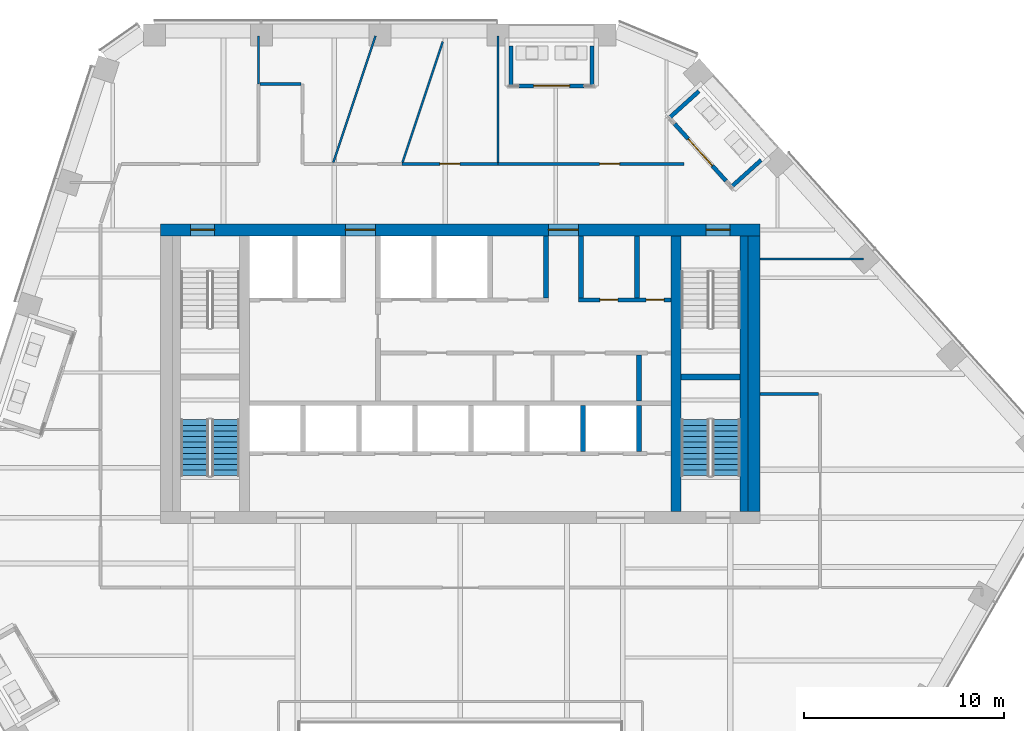
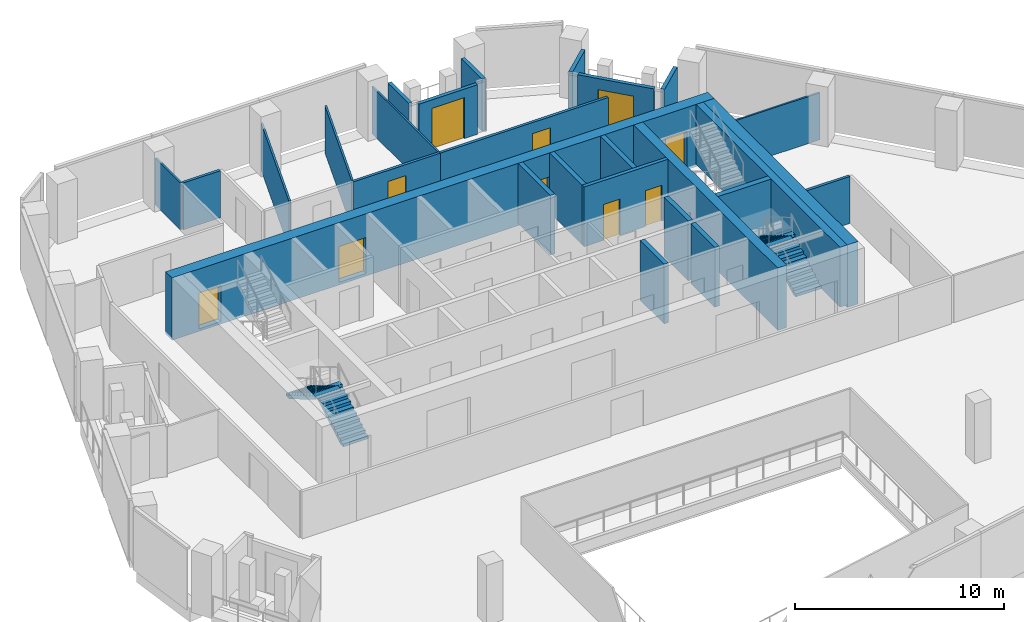
# One storey, part 17 of 24: 27 walls, 10 doors, 4 stair flights, 10 openings, 2 elements without a shape of their own.
"""IFC4 building model written with IfcOpenShell, lengths in metres."""

from ifc_helpers import new_model, si_unit, direction, frame, frame_2d, origin, place, context, subcontext, project, spatial, polyline, rectangle, outline, extrude, material, layer, layer_set, type_object, element, fill, aggregate, save


model = new_model("IFC4")

# Units and contexts
model_context = context("Model", 3, precision=1e-05, world=origin(), true_north=direction((0.0, 1.0)))
body_context = subcontext(model_context, "Body", "Model", "MODEL_VIEW")
ifc_project = project(units=[si_unit("LENGTHUNIT", "METRE"), si_unit("AREAUNIT", "SQUARE_METRE"), si_unit("VOLUMEUNIT", "CUBIC_METRE"), si_unit("PLANEANGLEUNIT", "RADIAN"), si_unit("MASSUNIT", "GRAM", prefix="KILO")], contexts=[model_context])

# Site, building, storey
site_placement = place(None, origin())
site = spatial("IfcSite", under=ifc_project, at=site_placement, CompositionType="ELEMENT")
building_placement = place(site_placement, origin())
building = spatial("IfcBuilding", under=site, at=building_placement, Name="Isthmus Gate Tower", CompositionType="ELEMENT")
storey_placement = place(building_placement, frame((0.0, 0.0, 219.949951171875)))
storey = spatial("IfcBuildingStorey", under=building, at=storey_placement, Name="L55", CompositionType="ELEMENT", Elevation=219.949951171875)

# Wall, opening, door
ifc_material_1 = material(Name="Gypsum board on steel studs, fire-rated", Category="steel")
ifc_layer_1 = layer(ifc_material_1, 0.14990234375)
ifc_layer_set_1 = layer_set([ifc_layer_1], Name="CORRIDOR WALL 150 60 MIN")
wall_type_1 = type_object("IfcWallType", Name="CORRIDOR WALL 150 60 MIN", PredefinedType="PARTITIONING", material=ifc_layer_set_1)
wall_1_placement = place(storey_placement, frame((1.881103515625, 18.0, 0.0), z_axis=(0.0, 0.0, 1.0), x_axis=(1.0, 0.0, 0.0)))
wall_1 = element("IfcWall", 1, at=wall_1_placement, inside=storey, type_object=wall_type_1, Name="L55 Corridor Wall 150 60 Min", PredefinedType="PARTITIONING", context=body_context, shape_type="SweptSolid", body=[
    extrude(rectangle(XDim=9.30908203125, YDim=0.14990234375, at=frame_2d((4.654541015625, 0.0))), origin(), (0.0, 0.0, 1.0), 2.750732421875),
])
opening_1_placement = place(wall_1_placement, frame((5.092041015625, 0.0, 0.0)))
opening_1 = element("IfcOpeningElement", 2, at=opening_1_placement, cuts=wall_1, Name="Opening DT-T5A-02", PredefinedType="OPENING", context=body_context, shape_type="SweptSolid", body=[
    extrude(rectangle(XDim=1.0, YDim=2.10009765625, at=frame_2d((0.5, 1.050048828125))), frame((0.0, 0.0849609375, 0.0), z_axis=(0.0, -1.0, 0.0), x_axis=(1.0, 0.0, 0.0)), (0.0, 0.0, 1.0), 0.169921875),
])
ifc_material_2 = material(Name="Solid core timber door leaf, fire-rated", Category="wood")
door_type_1 = type_object("IfcDoorType", Name="FIRE DOOR ROOM 1000 X 2100 60 MIN", OperationType="SINGLE_SWING_LEFT", PredefinedType="DOOR", material=ifc_material_2)
door_1_placement = place(opening_1_placement, origin())
door_1 = element("IfcDoor", 3, at=door_1_placement, inside=storey, type_object=door_type_1, Name="L55 room door", OperationType="SINGLE_SWING_RIGHT", OverallHeight=2.10009765625, OverallWidth=1.0, PredefinedType="DOOR", context=body_context, shape_type="SweptSolid", body=[
    extrude(rectangle(XDim=1.0, YDim=2.10009765625, at=frame_2d((0.5, 1.050048828125))), frame((0.0, 0.02490234375, 0.0), z_axis=(0.0, -1.0, 0.0), x_axis=(1.0, 0.0, 0.0)), (0.0, 0.0, 1.0), 0.050048828125),
])
fill(opening_1, door_1)

# Wall
wall_2_placement = place(storey_placement, frame((15.0, 6.5, 0.0), z_axis=(0.0, 0.0, 1.0), x_axis=(1.0, 0.0, 0.0)))
element("IfcWall", 4, at=wall_2_placement, inside=storey, type_object=wall_type_1, Name="L55 Corridor Wall 150 60 Min", PredefinedType="PARTITIONING", context=body_context, shape_type="SweptSolid", body=[
    extrude(rectangle(XDim=2.925048828125, YDim=0.14990234375, at=frame_2d((1.46240234375, 0.0))), origin(), (0.0, 0.0, 1.0), 2.750732421875),
])

# Wall, opening, door
wall_3_placement = place(storey_placement, frame((-2.919921875, 18.0, 0.0), z_axis=(0.0, 0.0, 1.0), x_axis=(1.0, 0.0, 0.0)))
wall_3 = element("IfcWall", 5, at=wall_3_placement, inside=storey, type_object=wall_type_1, Name="L55 Corridor Wall 150 60 Min", PredefinedType="PARTITIONING", context=body_context, shape_type="SweptSolid", body=[
    extrude(rectangle(XDim=4.801025390625, YDim=0.14990234375, at=frame_2d((2.400390625, 0.0))), origin(), (0.0, 0.0, 1.0), 2.750732421875),
])
opening_2_placement = place(wall_3_placement, frame((1.900390625, 0.0, 0.0)))
opening_2 = element("IfcOpeningElement", 6, at=opening_2_placement, cuts=wall_3, Name="Opening DT-T5A-07", PredefinedType="OPENING", context=body_context, shape_type="SweptSolid", body=[
    extrude(rectangle(XDim=1.0, YDim=2.10009765625, at=frame_2d((0.5, 1.050048828125))), frame((0.0, 0.0849609375, 0.0), z_axis=(0.0, -1.0, 0.0), x_axis=(1.0, 0.0, 0.0)), (0.0, 0.0, 1.0), 0.169921875),
])
door_2_placement = place(opening_2_placement, origin())
door_2 = element("IfcDoor", 7, at=door_2_placement, inside=storey, type_object=door_type_1, Name="L55 room door", OperationType="SINGLE_SWING_RIGHT", OverallHeight=2.10009765625, OverallWidth=1.0, PredefinedType="DOOR", context=body_context, shape_type="SweptSolid", body=[
    extrude(rectangle(XDim=1.0, YDim=2.10009765625, at=frame_2d((0.5, 1.050048828125))), frame((0.0, 0.02490234375, 0.0), z_axis=(0.0, -1.0, 0.0), x_axis=(1.0, 0.0, 0.0)), (0.0, 0.0, 1.0), 0.050048828125),
])
fill(opening_2, door_2)

# Wall
wall_4_placement = place(storey_placement, frame((-10.02490234375, 22.0, 0.0), z_axis=(0.0, 0.0, 1.0), x_axis=(1.0, 0.0, 0.0)))
element("IfcWall", 8, at=wall_4_placement, inside=storey, type_object=wall_type_1, Name="L55 Corridor Wall 150 60 Min", PredefinedType="PARTITIONING", context=body_context, shape_type="SweptSolid", body=[
    extrude(rectangle(XDim=2.0498046875, YDim=0.14990234375, at=frame_2d((1.02490234375, 0.0))), origin(), (0.0, 0.0, 1.0), 2.750732421875),
])

# Wall, opening, door
ifc_material_3 = material(Name="Precast concrete C40/50", Category="concrete")
ifc_layer_2 = layer(ifc_material_3, 0.199951171875)
ifc_layer_set_2 = layer_set([ifc_layer_2], Name="LOGGIA WALL 200")
wall_type_2 = type_object("IfcWallType", Name="LOGGIA WALL 200", PredefinedType="SOLIDWALL", material=ifc_layer_set_2)
wall_5_placement = place(storey_placement, frame((6.191162109375, 21.89990234375, 0.0), z_axis=(0.0, 0.0, 1.0), x_axis=(-1.0, 0.0, 0.0)))
wall_5 = element("IfcWall", 9, at=wall_5_placement, inside=storey, type_object=wall_type_2, Name="LOGGIA BACK WALL", PredefinedType="SOLIDWALL", context=body_context, shape_type="SweptSolid", body=[
    extrude(rectangle(XDim=3.2607421875, YDim=0.199951171875, at=frame_2d((1.63037109375, 0.0))), origin(), (0.0, 0.0, 1.0), 2.896728515625),
])
opening_3_placement = place(wall_5_placement, frame((0.730224609375, 0.0, 0.0)))
opening_3 = element("IfcOpeningElement", 10, at=opening_3_placement, cuts=wall_5, Name="Opening DE55-01", PredefinedType="OPENING", context=body_context, shape_type="SweptSolid", body=[
    extrude(rectangle(XDim=1.800048828125, YDim=2.39990234375, at=frame_2d((0.89990234375, 1.199951171875))), frame((0.0, 0.10986328125, 0.0), z_axis=(0.0, -1.0, 0.0), x_axis=(1.0, 0.0, 0.0)), (0.0, 0.0, 1.0), 0.219970703125),
])
ifc_material_4 = material(Name="Aluminium, pale champagne anodised, laminated glass", Category="aluminium")
door_type_2 = type_object("IfcDoorType", Name="LOGGIA DOOR SLIDING 1800 X 2400", OperationType="DOUBLE_DOOR_SLIDING", PredefinedType="DOOR", material=ifc_material_4)
door_3_placement = place(opening_3_placement, origin())
door_3 = element("IfcDoor", 11, at=door_3_placement, inside=storey, type_object=door_type_2, Name="DOOR DE55-01", OperationType="SINGLE_SWING_LEFT", OverallHeight=2.39990234375, OverallWidth=1.800048828125, PredefinedType="DOOR", context=body_context, shape_type="SweptSolid", body=[
    extrude(rectangle(XDim=1.800048828125, YDim=2.39990234375, at=frame_2d((0.89990234375, 1.199951171875))), frame((0.0, 0.02490234375, 0.0), z_axis=(0.0, -1.0, 0.0), x_axis=(1.0, 0.0, 0.0)), (0.0, 0.0, 1.0), 0.050048828125),
])
fill(opening_3, door_3)

# Walls
for number, where, z_axis, x_axis, name in (
    (12, (6.591064453125, 23.89990234375, 0.0), (0.0, 0.0, 1.0), (0.0, -1.0, 0.0), "LOGGIA SIDE WALL"),
    (13, (2.530517578125, 23.89990234375, 0.0), (0.0, 0.0, 1.0), (0.0, -1.0, 0.0), "LOGGIA SIDE WALL"),
):
    element("IfcWall", number, at=place(storey_placement, frame(where, z_axis=z_axis, x_axis=x_axis)), inside=storey, type_object=wall_type_2, Name=name, PredefinedType="SOLIDWALL", context=body_context, shape_type="SweptSolid", body=[
        extrude(rectangle(XDim=1.98388671875, YDim=0.199951171875, at=frame_2d((0.991943359375, 0.0))), origin(), (0.0, 0.0, 1.0), 3.050048828125),
    ])

# Wall, opening, door
wall_6_placement = place(storey_placement, frame((13.2919921875, 17.150390625, 0.0), z_axis=(0.0, 0.0, 1.0), x_axis=(-0.66915429884, 0.743123491988, 0.0)))
wall_6 = element("IfcWall", 14, at=wall_6_placement, inside=storey, type_object=wall_type_2, Name="LOGGIA BACK WALL", PredefinedType="SOLIDWALL", context=body_context, shape_type="SweptSolid", body=[
    extrude(rectangle(XDim=3.841796875, YDim=0.199951171875, at=frame_2d((1.9208984375, 0.0))), origin(), (0.0, 0.0, 1.0), 3.050048828125),
])
opening_4_placement = place(wall_6_placement, frame((1.02099609375, 0.0, 0.0)))
opening_4 = element("IfcOpeningElement", 15, at=opening_4_placement, cuts=wall_6, Name="Opening DE55-05", PredefinedType="OPENING", context=body_context, shape_type="SweptSolid", body=[
    extrude(rectangle(XDim=1.800048828125, YDim=2.39990234375, at=frame_2d((0.89990234375, 1.199951171875))), frame((0.0, 0.10986328125, 0.0), z_axis=(0.0, -1.0, 0.0), x_axis=(1.0, 0.0, 0.0)), (0.0, 0.0, 1.0), 0.219970703125),
])
door_4_placement = place(opening_4_placement, origin())
door_4 = element("IfcDoor", 16, at=door_4_placement, inside=storey, type_object=door_type_2, Name="DOOR DE55-05", OperationType="SINGLE_SWING_LEFT", OverallHeight=2.39990234375, OverallWidth=1.800048828125, PredefinedType="DOOR", context=body_context, shape_type="SweptSolid", body=[
    extrude(rectangle(XDim=1.800048828125, YDim=2.39990234375, at=frame_2d((0.89990234375, 1.199951171875))), frame((0.0, 0.02490234375, 0.0), z_axis=(0.0, -1.0, 0.0), x_axis=(1.0, 0.0, 0.0)), (0.0, 0.0, 1.0), 0.050048828125),
])
fill(opening_4, door_4)

# Walls
for number, where, z_axis, x_axis, name in (
    (17, (15.0458984375, 18.19140625, 0.0), (0.0, 0.0, 1.0), (-0.743116679126, -0.669161864727, 0.0), "LOGGIA SIDE WALL"),
    (18, (11.93994140625, 21.64111328125, 0.0), (0.0, 0.0, 1.0), (-0.743171771917, -0.669100678094, 0.0), "LOGGIA SIDE WALL"),
):
    element("IfcWall", number, at=place(storey_placement, frame(where, z_axis=z_axis, x_axis=x_axis)), inside=storey, type_object=wall_type_2, Name=name, PredefinedType="SOLIDWALL", context=body_context, shape_type="SweptSolid", body=[
        extrude(rectangle(XDim=1.984130859375, YDim=0.199951171875, at=frame_2d((0.9921875, 0.0))), origin(), (0.0, 0.0, 1.0), 3.050048828125),
    ])
ifc_material_5 = material(Name="Concrete f'c 50 MPa", Category="concrete")
ifc_layer_3 = layer(ifc_material_5, 0.5)
ifc_layer_set_3 = layer_set([ifc_layer_3], Name="RC CORE SPINE WALL 500 F'C 50")
wall_type_3 = type_object("IfcWallType", Name="RC CORE SPINE WALL 500 F'C 50", PredefinedType="SOLIDWALL", material=ifc_layer_set_3)
wall_7_placement = place(storey_placement, frame((10.800048828125, 0.60009765625, -0.14990234375), z_axis=(0.0, 0.0, 1.0), x_axis=(0.0, 1.0, 0.0)))
element("IfcWall", 19, at=wall_7_placement, inside=storey, type_object=wall_type_3, Name="str-corewall-L55-SPE", PredefinedType="SOLIDWALL", context=body_context, shape_type="SweptSolid", body=[
    extrude(rectangle(XDim=13.7998046875, YDim=0.5, at=frame_2d((6.89990234375, 0.0))), origin(), (0.0, 0.0, 1.0), 3.64990234375),
])

# Wall, openings, doors
ifc_material_6 = material(Name="Concrete f'c 50 MPa", Category="concrete")
ifc_layer_4 = layer(ifc_material_6, 0.60009765625)
ifc_layer_set_4 = layer_set([ifc_layer_4], Name="RC CORE WALL 600 F'C 50")
wall_type_4 = type_object("IfcWallType", Name="RC CORE WALL 600 F'C 50", PredefinedType="SOLIDWALL", material=ifc_layer_set_4)
wall_8_placement = place(storey_placement, frame((-15.0, 14.699951171875, -0.14990234375), z_axis=(0.0, 0.0, 1.0), x_axis=(1.0, 0.0, 0.0)))
wall_8 = element("IfcWall", 20, at=wall_8_placement, inside=storey, type_object=wall_type_4, Name="str-corewall-L55-N", PredefinedType="SOLIDWALL", context=body_context, shape_type="SweptSolid", body=[
    extrude(rectangle(XDim=30.0, YDim=0.60009765625, at=frame_2d((15.0, 0.0))), origin(), (0.0, 0.0, 1.0), 3.64990234375),
])
opening_5_placement = place(wall_8_placement, frame((9.25, 0.0, 0.14990234375)))
opening_5 = element("IfcOpeningElement", 21, at=opening_5_placement, cuts=wall_8, Name="Opening DC-A17-13", PredefinedType="OPENING", context=body_context, shape_type="SweptSolid", body=[
    extrude(rectangle(XDim=1.5, YDim=2.10009765625, at=frame_2d((0.75, 1.050048828125))), frame((0.0, 0.31005859375, 0.0), z_axis=(0.0, -1.0, 0.0), x_axis=(1.0, 0.0, 0.0)), (0.0, 0.0, 1.0), 0.6201171875),
])
opening_6_placement = place(wall_8_placement, frame((19.39990234375, 0.0, 0.14990234375)))
opening_6 = element("IfcOpeningElement", 22, at=opening_6_placement, cuts=wall_8, Name="Opening DC-A17-14", PredefinedType="OPENING", context=body_context, shape_type="SweptSolid", body=[
    extrude(rectangle(XDim=1.5, YDim=2.10009765625, at=frame_2d((0.75, 1.050048828125))), frame((0.0, 0.31005859375, 0.0), z_axis=(0.0, -1.0, 0.0), x_axis=(1.0, 0.0, 0.0)), (0.0, 0.0, 1.0), 0.6201171875),
])
opening_7_placement = place(wall_8_placement, frame((1.5, 0.0, 0.14990234375)))
opening_7 = element("IfcOpeningElement", 23, at=opening_7_placement, cuts=wall_8, Name="Opening DC-A17-15", PredefinedType="OPENING", context=body_context, shape_type="SweptSolid", body=[
    extrude(rectangle(XDim=1.199951171875, YDim=2.10009765625, at=frame_2d((0.60009765625, 1.050048828125))), frame((0.0, 0.31005859375, 0.0), z_axis=(0.0, -1.0, 0.0), x_axis=(1.0, 0.0, 0.0)), (0.0, 0.0, 1.0), 0.6201171875),
])
opening_8_placement = place(wall_8_placement, frame((27.300048828125, 0.0, 0.14990234375)))
opening_8 = element("IfcOpeningElement", 24, at=opening_8_placement, cuts=wall_8, Name="Opening DC-A17-16", PredefinedType="OPENING", context=body_context, shape_type="SweptSolid", body=[
    extrude(rectangle(XDim=1.199951171875, YDim=2.10009765625, at=frame_2d((0.60009765625, 1.050048828125))), frame((0.0, 0.31005859375, 0.0), z_axis=(0.0, -1.0, 0.0), x_axis=(1.0, 0.0, 0.0)), (0.0, 0.0, 1.0), 0.6201171875),
])
ifc_material_7 = material(Name="Steel door leaf, fire-rated", Category="steel")
door_type_3 = type_object("IfcDoorType", Name="LOBBY FIRE DOOR 1500 X 2100 60 MIN", OperationType="DOUBLE_DOOR_SINGLE_SWING", PredefinedType="DOOR", material=ifc_material_7)
door_5_placement = place(opening_6_placement, origin())
door_5 = element("IfcDoor", 25, at=door_5_placement, inside=storey, type_object=door_type_3, Name="Lobby Door PN-E", OperationType="DOUBLE_DOOR_SINGLE_SWING", OverallHeight=2.10009765625, OverallWidth=1.5, PredefinedType="DOOR", context=body_context, shape_type="SweptSolid", body=[
    extrude(rectangle(XDim=1.5, YDim=2.10009765625, at=frame_2d((0.75, 1.050048828125))), frame((0.0, 0.02490234375, 0.0), z_axis=(0.0, -1.0, 0.0), x_axis=(1.0, 0.0, 0.0)), (0.0, 0.0, 1.0), 0.050048828125),
])
fill(opening_6, door_5)
ifc_material_8 = material(Name="Steel door leaf, fire-rated", Category="steel")
door_type_4 = type_object("IfcDoorType", Name="LOBBY FIRE DOOR 1500 X 2100 90 MIN", OperationType="DOUBLE_DOOR_SINGLE_SWING", PredefinedType="DOOR", material=ifc_material_8)
door_6_placement = place(opening_5_placement, origin())
door_6 = element("IfcDoor", 26, at=door_6_placement, inside=storey, type_object=door_type_4, Name="Lobby Door PN-W", OperationType="DOUBLE_DOOR_SINGLE_SWING", OverallHeight=2.10009765625, OverallWidth=1.5, PredefinedType="DOOR", context=body_context, shape_type="SweptSolid", body=[
    extrude(rectangle(XDim=1.5, YDim=2.10009765625, at=frame_2d((0.75, 1.050048828125))), frame((0.0, 0.02490234375, 0.0), z_axis=(0.0, -1.0, 0.0), x_axis=(1.0, 0.0, 0.0)), (0.0, 0.0, 1.0), 0.050048828125),
])
fill(opening_5, door_6)
ifc_material_9 = material(Name="Steel door leaf, fire-rated", Category="steel")
door_type_5 = type_object("IfcDoorType", Name="STAIR FIRE DOOR 1200 X 2100 90 MIN", OperationType="SINGLE_SWING_LEFT", PredefinedType="DOOR", material=ifc_material_9)
door_7_placement = place(opening_7_placement, origin())
door_7 = element("IfcDoor", 27, at=door_7_placement, inside=storey, type_object=door_type_5, Name="Exit Stair 1 Door", OperationType="SINGLE_SWING_RIGHT", OverallHeight=2.10009765625, OverallWidth=1.199951171875, PredefinedType="DOOR", context=body_context, shape_type="SweptSolid", body=[
    extrude(rectangle(XDim=1.199951171875, YDim=2.10009765625, at=frame_2d((0.60009765625, 1.050048828125))), frame((0.0, 0.02490234375, 0.0), z_axis=(0.0, -1.0, 0.0), x_axis=(1.0, 0.0, 0.0)), (0.0, 0.0, 1.0), 0.050048828125),
])
fill(opening_7, door_7)
door_8_placement = place(opening_8_placement, origin())
door_8 = element("IfcDoor", 28, at=door_8_placement, inside=storey, type_object=door_type_5, Name="Exit Stair 2 Door", OperationType="SINGLE_SWING_LEFT", OverallHeight=2.10009765625, OverallWidth=1.199951171875, PredefinedType="DOOR", context=body_context, shape_type="SweptSolid", body=[
    extrude(rectangle(XDim=1.199951171875, YDim=2.10009765625, at=frame_2d((0.60009765625, 1.050048828125))), frame((0.0, 0.02490234375, 0.0), z_axis=(0.0, -1.0, 0.0), x_axis=(1.0, 0.0, 0.0)), (0.0, 0.0, 1.0), 0.050048828125),
])
fill(opening_8, door_8)

# Walls
wall_9_placement = place(storey_placement, frame((14.699951171875, 0.60009765625, -0.14990234375), z_axis=(0.0, 0.0, 1.0), x_axis=(0.0, 1.0, 0.0)))
element("IfcWall", 29, at=wall_9_placement, inside=storey, type_object=wall_type_4, Name="str-corewall-L55-E", PredefinedType="SOLIDWALL", context=body_context, shape_type="SweptSolid", body=[
    extrude(rectangle(XDim=13.7998046875, YDim=0.60009765625, at=frame_2d((6.89990234375, 0.0))), origin(), (0.0, 0.0, 1.0), 3.64990234375),
])
ifc_material_10 = material(Name="Gypsum board on steel studs, fire-rated", Category="steel")
ifc_layer_5 = layer(ifc_material_10, 0.10009765625)
ifc_layer_set_5 = layer_set([ifc_layer_5], Name="ROOM PARTITION 100 30 MIN")
wall_type_5 = type_object("IfcWallType", Name="ROOM PARTITION 100 30 MIN", PredefinedType="PARTITIONING", material=ifc_layer_set_5)
wall_10_placement = place(storey_placement, frame((-10.10205078125, 22.0, 0.0), z_axis=(0.0, 0.0, 1.0), x_axis=(0.0, 1.0, 0.0)))
element("IfcWall", 30, at=wall_10_placement, inside=storey, type_object=wall_type_5, Name="L55 Room Partition 100 30 Min", PredefinedType="PARTITIONING", context=body_context, shape_type="SweptSolid", body=[
    extrude(rectangle(XDim=2.39990234375, YDim=0.10009765625, at=frame_2d((1.199951171875, 0.0))), origin(), (0.0, 0.0, 1.0), 2.750732421875),
])
wall_11_placement = place(storey_placement, frame((15.0, 13.251953125, 0.0), z_axis=(0.0, 0.0, 1.0), x_axis=(1.0, 0.0, 0.0)))
element("IfcWall", 31, at=wall_11_placement, inside=storey, type_object=wall_type_5, Name="L55 Room Partition 100 30 Min", PredefinedType="PARTITIONING", context=body_context, shape_type="SweptSolid", body=[
    extrude(rectangle(XDim=5.166015625, YDim=0.10009765625, at=frame_2d((2.5830078125, 0.0))), origin(), (0.0, 0.0, 1.0), 2.750732421875),
])
wall_12_placement = place(storey_placement, frame((1.881103515625, 18.074951171875, 0.0), z_axis=(0.0, 0.0, 1.0), x_axis=(0.0, 1.0, 0.0)))
element("IfcWall", 32, at=wall_12_placement, inside=storey, type_object=wall_type_5, Name="L55 Room Partition 100 30 Min", PredefinedType="PARTITIONING", context=body_context, shape_type="SweptSolid", body=[
    extrude(rectangle(XDim=6.324951171875, YDim=0.10009765625, at=frame_2d((3.16259765625, 0.0))), origin(), (0.0, 0.0, 1.0), 2.750732421875),
])
wall_13_placement = place(storey_placement, frame((-2.896240234375, 18.071044921875, 0.0), z_axis=(0.0, 0.0, 1.0), x_axis=(0.316721942661, 0.948518429466, 0.0)))
element("IfcWall", 33, at=wall_13_placement, inside=storey, type_object=wall_type_5, Name="L55 Room Partition 100 30 Min", PredefinedType="PARTITIONING", context=body_context, shape_type="SweptSolid", body=[
    extrude(rectangle(XDim=6.37255859375, YDim=0.10009765625, at=frame_2d((3.186279296875, 0.0))), origin(), (0.0, 0.0, 1.0), 2.750732421875),
])
wall_14_placement = place(storey_placement, frame((-6.358154296875, 18.071044921875, 0.0), z_axis=(0.0, 0.0, 1.0), x_axis=(0.316688766046, 0.9485295069, 0.0)))
element("IfcWall", 34, at=wall_14_placement, inside=storey, type_object=wall_type_5, Name="L55 Room Partition 100 30 Min", PredefinedType="PARTITIONING", context=body_context, shape_type="SweptSolid", body=[
    extrude(rectangle(XDim=6.67236328125, YDim=0.10009765625, at=frame_2d((3.336181640625, 0.0))), origin(), (0.0, 0.0, 1.0), 2.750732421875),
])

# Wall, openings, doors
ifc_material_11 = material(Name="Fire-rated blockwork masonry, 15 MPa", Category="masonry")
ifc_layer_6 = layer(ifc_material_11, 0.199951171875)
ifc_layer_set_6 = layer_set([ifc_layer_6], Name="SHAFT FRONT WALL 200 120 MIN")
wall_type_6 = type_object("IfcWallType", Name="SHAFT FRONT WALL 200 120 MIN", PredefinedType="PARTITIONING", material=ifc_layer_set_6)
wall_15_placement = place(storey_placement, frame((5.89990234375, 11.199951171875, 0.0), z_axis=(0.0, 0.0, 1.0), x_axis=(1.0, 0.0, 0.0)))
wall_15 = element("IfcWall", 35, at=wall_15_placement, inside=storey, type_object=wall_type_6, Name="L55 SHAFT FRONT WALL 200 120 MIN", PredefinedType="PARTITIONING", context=body_context, shape_type="SweptSolid", body=[
    extrude(rectangle(XDim=4.650146484375, YDim=0.199951171875, at=frame_2d((2.3251953125, 0.0))), origin(), (0.0, 0.0, 1.0), 3.5),
])
opening_9_placement = place(wall_15_placement, frame((1.074951171875, 0.0, 0.0)))
opening_9 = element("IfcOpeningElement", 36, at=opening_9_placement, cuts=wall_15, Name="Opening DC-A17-08", PredefinedType="OPENING", context=body_context, shape_type="SweptSolid", body=[
    extrude(rectangle(XDim=0.89990234375, YDim=2.10009765625, at=frame_2d((0.449951171875, 1.050048828125))), frame((0.0, 0.10986328125, 0.0), z_axis=(0.0, -1.0, 0.0), x_axis=(1.0, 0.0, 0.0)), (0.0, 0.0, 1.0), 0.219970703125),
])
opening_10_placement = place(wall_15_placement, frame((3.39990234375, 0.0, 0.0)))
opening_10 = element("IfcOpeningElement", 37, at=opening_10_placement, cuts=wall_15, Name="Opening DC-A17-09", PredefinedType="OPENING", context=body_context, shape_type="SweptSolid", body=[
    extrude(rectangle(XDim=0.89990234375, YDim=2.10009765625, at=frame_2d((0.449951171875, 1.050048828125))), frame((0.0, 0.10986328125, 0.0), z_axis=(0.0, -1.0, 0.0), x_axis=(1.0, 0.0, 0.0)), (0.0, 0.0, 1.0), 0.219970703125),
])
ifc_material_12 = material(Name="Steel door leaf, fire-rated", Category="steel")
door_type_6 = type_object("IfcDoorType", Name="FIRE DOOR 900 X 2100 60 MIN", OperationType="SINGLE_SWING_LEFT", PredefinedType="DOOR", material=ifc_material_12)
door_9_placement = place(opening_9_placement, origin())
door_9 = element("IfcDoor", 38, at=door_9_placement, inside=storey, type_object=door_type_6, Name="Cleaner Store Door", OperationType="SINGLE_SWING_RIGHT", OverallHeight=2.10009765625, OverallWidth=0.89990234375, PredefinedType="DOOR", context=body_context, shape_type="SweptSolid", body=[
    extrude(rectangle(XDim=0.89990234375, YDim=2.10009765625, at=frame_2d((0.449951171875, 1.050048828125))), frame((0.0, 0.02490234375, 0.0), z_axis=(0.0, -1.0, 0.0), x_axis=(1.0, 0.0, 0.0)), (0.0, 0.0, 1.0), 0.050048828125),
])
fill(opening_9, door_9)
ifc_material_13 = material(Name="Steel door leaf, fire-rated", Category="steel")
door_type_7 = type_object("IfcDoorType", Name="RISER FIRE DOOR 900 X 2100 90 MIN", OperationType="SINGLE_SWING_LEFT", PredefinedType="DOOR", material=ifc_material_13)
door_10_placement = place(opening_10_placement, origin())
door_10 = element("IfcDoor", 39, at=door_10_placement, inside=storey, type_object=door_type_7, Name="Riser Door", OperationType="SINGLE_SWING_LEFT", OverallHeight=2.10009765625, OverallWidth=0.89990234375, PredefinedType="DOOR", context=body_context, shape_type="SweptSolid", body=[
    extrude(rectangle(XDim=0.89990234375, YDim=2.10009765625, at=frame_2d((0.449951171875, 1.050048828125))), frame((0.0, 0.02490234375, 0.0), z_axis=(0.0, -1.0, 0.0), x_axis=(1.0, 0.0, 0.0)), (0.0, 0.0, 1.0), 0.050048828125),
])
fill(opening_10, door_10)

# Walls
ifc_material_14 = material(Name="Fire-rated blockwork masonry, 15 MPa", Category="masonry")
ifc_layer_7 = layer(ifc_material_14, 0.25)
ifc_layer_set_7 = layer_set([ifc_layer_7], Name="SHAFT WALL 250 120 MIN")
wall_type_7 = type_object("IfcWallType", Name="SHAFT WALL 250 120 MIN", PredefinedType="PARTITIONING", material=ifc_layer_set_7)
for number, where, z_axis, x_axis, name in (
    (40, (6.125, 3.60009765625, 0.0), (0.0, 0.0, 1.0), (0.0, 1.0, 0.0), "L55 SHAFT WALL 250 120 MIN"),
    (41, (8.925048828125, 3.60009765625, 0.0), (0.0, 0.0, 1.0), (0.0, 1.0, 0.0), "L55 SHAFT WALL 250 120 MIN"),
):
    element("IfcWall", number, at=place(storey_placement, frame(where, z_axis=z_axis, x_axis=x_axis)), inside=storey, type_object=wall_type_7, Name=name, PredefinedType="PARTITIONING", context=body_context, shape_type="SweptSolid", body=[
        extrude(rectangle(XDim=2.2998046875, YDim=0.25, at=frame_2d((1.14990234375, 0.0))), origin(), (0.0, 0.0, 1.0), 3.5),
    ])
wall_16_placement = place(storey_placement, frame((8.925048828125, 6.14990234375, 0.0), z_axis=(0.0, 0.0, 1.0), x_axis=(0.0, 1.0, 0.0)))
element("IfcWall", 42, at=wall_16_placement, inside=storey, type_object=wall_type_7, Name="L55 SHAFT WALL 250 120 MIN", PredefinedType="PARTITIONING", context=body_context, shape_type="SweptSolid", body=[
    extrude(rectangle(XDim=2.300048828125, YDim=0.25, at=frame_2d((1.14990234375, 0.0))), origin(), (0.0, 0.0, 1.0), 3.5),
])
for number, where, z_axis, x_axis, name in (
    (43, (4.27490234375, 11.300048828125, 0.0), (0.0, 0.0, 1.0), (0.0, 1.0, 0.0), "L55 SHAFT WALL 250 120 MIN"),
    (44, (6.02490234375, 11.300048828125, 0.0), (0.0, 0.0, 1.0), (0.0, 1.0, 0.0), "L55 SHAFT WALL 250 120 MIN"),
    (45, (8.824951171875, 11.300048828125, 0.0), (0.0, 0.0, 1.0), (0.0, 1.0, 0.0), "L55 SHAFT WALL 250 120 MIN"),
):
    element("IfcWall", number, at=place(storey_placement, frame(where, z_axis=z_axis, x_axis=x_axis)), inside=storey, type_object=wall_type_7, Name=name, PredefinedType="PARTITIONING", context=body_context, shape_type="SweptSolid", body=[
        extrude(rectangle(XDim=3.099853515625, YDim=0.25, at=frame_2d((1.5498046875, 0.0))), origin(), (0.0, 0.0, 1.0), 3.5),
    ])
ifc_material_15 = material(Name="Concrete f'c 40 MPa", Category="concrete")
ifc_layer_8 = layer(ifc_material_15, 0.300048828125)
ifc_layer_set_8 = layer_set([ifc_layer_8], Name="STAIR ENCLOSURE WALL 300 180 MIN")
wall_type_8 = type_object("IfcWallType", Name="STAIR ENCLOSURE WALL 300 180 MIN", PredefinedType="SOLIDWALL", material=ifc_layer_set_8)
wall_17_placement = place(storey_placement, frame((11.050048828125, 7.35009765625, 0.0), z_axis=(0.0, 0.0, 1.0), x_axis=(1.0, 0.0, 0.0)))
element("IfcWall", 46, at=wall_17_placement, inside=storey, type_object=wall_type_8, Name="L55 STAIR ENCLOSURE WALL 300 180 MIN", PredefinedType="SOLIDWALL", context=body_context, shape_type="SweptSolid", body=[
    extrude(rectangle(XDim=2.949951171875, YDim=0.300048828125, at=frame_2d((1.47509765625, 0.0))), origin(), (0.0, 0.0, 1.0), 3.5),
])
ifc_material_16 = material(Name="Concrete f'c 40 MPa", Category="concrete")
ifc_layer_9 = layer(ifc_material_16, 0.39990234375)
ifc_layer_set_9 = layer_set([ifc_layer_9], Name="STAIR ENCLOSURE WALL 400 180 MIN")
wall_type_9 = type_object("IfcWallType", Name="STAIR ENCLOSURE WALL 400 180 MIN", PredefinedType="SOLIDWALL", material=ifc_layer_set_9)
wall_18_placement = place(storey_placement, frame((14.199951171875, 0.60009765625, 0.0), z_axis=(0.0, 0.0, 1.0), x_axis=(0.0, 1.0, 0.0)))
element("IfcWall", 47, at=wall_18_placement, inside=storey, type_object=wall_type_9, Name="L55 STAIR ENCLOSURE WALL 400 180 MIN", PredefinedType="SOLIDWALL", context=body_context, shape_type="SweptSolid", body=[
    extrude(rectangle(XDim=13.7998046875, YDim=0.39990234375, at=frame_2d((6.89990234375, 0.0))), origin(), (0.0, 0.0, 1.0), 3.5),
])

# Stair, stair flights
ifc_material_17 = material(Name="Concrete f'c 40 MPa", Category="concrete")
stair_type = type_object("IfcStairType", Name="CORE STAIR 22 RISERS", PredefinedType="HALF_TURN_STAIR", material=ifc_material_17)
stair_1_placement = place(storey_placement, origin())
stair_1 = element("IfcStair", 48, at=stair_1_placement, inside=storey, type_object=stair_type, Name="L55 Exit Stair 7", PredefinedType="HALF_TURN_STAIR")
ifc_material_18 = material(Name="Concrete f'c 40 MPa", Category="concrete")
stair_flight_type = type_object("IfcStairFlightType", Name="STAIR FLIGHT RC 1400", PredefinedType="STRAIGHT", material=ifc_material_18)
stair_flight_1_placement = place(storey_placement, frame((-11.75, 2.39990234375, 0.0), z_axis=(0.0, 0.0, 1.0), x_axis=(0.0, 1.0, 0.0)))
stair_flight_1 = element("IfcStairFlight", 49, at=stair_flight_1_placement, type_object=stair_flight_type, Name="ST7 flight 1", NumberOfRisers=11, NumberOfTreads=10, PredefinedType="STRAIGHT", RiserHeight=0.165909091, TreadLength=0.28, context=body_context, shape_type="SweptSolid", body=[
    extrude(outline(polyline([(0.0, 0.0), (0.0, 0.166015625), (0.280029296875, 0.166015625), (0.280029296875, 0.331787109375), (0.56005859375, 0.331787109375), (0.56005859375, 0.497802734375), (0.840087890625, 0.497802734375), (0.840087890625, 0.66357421875), (1.1201171875, 0.66357421875), (1.1201171875, 0.82958984375), (1.39990234375, 0.82958984375), (1.39990234375, 0.995361328125), (1.679931640625, 0.995361328125), (1.679931640625, 1.161376953125), (1.9599609375, 1.161376953125), (1.9599609375, 1.327392578125), (2.239990234375, 1.327392578125), (2.239990234375, 1.4931640625), (2.52001953125, 1.4931640625), (2.52001953125, 1.6591796875), (2.800048828125, 1.6591796875), (2.800048828125, 1.824951171875), (2.800048828125, 1.48486328125), (0.2939453125, 0.0), (0.0, 0.0)])), frame((0.0, 0.699951171875, 0.0), z_axis=(0.0, -1.0, 0.0), x_axis=(1.0, 0.0, 0.0)), (0.0, 0.0, 1.0), 1.39990234375),
])
stair_flight_2_placement = place(storey_placement, frame((-13.300048828125, 5.199951171875, 1.824951171875), z_axis=(0.0, 0.0, 1.0), x_axis=(0.0, -1.0, 0.0)))
stair_flight_2 = element("IfcStairFlight", 50, at=stair_flight_2_placement, type_object=stair_flight_type, Name="ST7 flight 2", NumberOfRisers=11, NumberOfTreads=10, PredefinedType="STRAIGHT", RiserHeight=0.165909091, TreadLength=0.28, context=body_context, shape_type="SweptSolid", body=[
    extrude(outline(polyline([(0.0, 0.0), (0.0, 0.166015625), (0.280029296875, 0.166015625), (0.280029296875, 0.331787109375), (0.56005859375, 0.331787109375), (0.56005859375, 0.497802734375), (0.840087890625, 0.497802734375), (0.840087890625, 0.66357421875), (1.1201171875, 0.66357421875), (1.1201171875, 0.82958984375), (1.39990234375, 0.82958984375), (1.39990234375, 0.995361328125), (1.679931640625, 0.995361328125), (1.679931640625, 1.161376953125), (1.9599609375, 1.161376953125), (1.9599609375, 1.327392578125), (2.239990234375, 1.327392578125), (2.239990234375, 1.4931640625), (2.52001953125, 1.4931640625), (2.52001953125, 1.6591796875), (2.800048828125, 1.6591796875), (2.800048828125, 1.824951171875), (2.800048828125, 1.48486328125), (0.2939453125, 0.0), (0.0, 0.0)])), frame((0.0, 0.699951171875, 0.0), z_axis=(0.0, -1.0, 0.0), x_axis=(1.0, 0.0, 0.0)), (0.0, 0.0, 1.0), 1.39990234375),
])
aggregate(stair_1, [stair_flight_1, stair_flight_2])

stair_2_placement = place(storey_placement, origin())
stair_2 = element("IfcStair", 51, at=stair_2_placement, inside=storey, type_object=stair_type, Name="L55 Exit Stair 8", PredefinedType="HALF_TURN_STAIR")
stair_flight_3_placement = place(storey_placement, frame((13.300048828125, 2.39990234375, 0.0), z_axis=(0.0, 0.0, 1.0), x_axis=(0.0, 1.0, 0.0)))
stair_flight_3 = element("IfcStairFlight", 52, at=stair_flight_3_placement, type_object=stair_flight_type, Name="ST8 flight 1", NumberOfRisers=11, NumberOfTreads=10, PredefinedType="STRAIGHT", RiserHeight=0.165909091, TreadLength=0.28, context=body_context, shape_type="SweptSolid", body=[
    extrude(outline(polyline([(0.0, 0.0), (0.0, 0.166015625), (0.280029296875, 0.166015625), (0.280029296875, 0.331787109375), (0.56005859375, 0.331787109375), (0.56005859375, 0.497802734375), (0.840087890625, 0.497802734375), (0.840087890625, 0.66357421875), (1.1201171875, 0.66357421875), (1.1201171875, 0.82958984375), (1.39990234375, 0.82958984375), (1.39990234375, 0.995361328125), (1.679931640625, 0.995361328125), (1.679931640625, 1.161376953125), (1.9599609375, 1.161376953125), (1.9599609375, 1.327392578125), (2.239990234375, 1.327392578125), (2.239990234375, 1.4931640625), (2.52001953125, 1.4931640625), (2.52001953125, 1.6591796875), (2.800048828125, 1.6591796875), (2.800048828125, 1.824951171875), (2.800048828125, 1.48486328125), (0.2939453125, 0.0), (0.0, 0.0)])), frame((0.0, 0.699951171875, 0.0), z_axis=(0.0, -1.0, 0.0), x_axis=(1.0, 0.0, 0.0)), (0.0, 0.0, 1.0), 1.39990234375),
])
stair_flight_4_placement = place(storey_placement, frame((11.75, 5.199951171875, 1.824951171875), z_axis=(0.0, 0.0, 1.0), x_axis=(0.0, -1.0, 0.0)))
stair_flight_4 = element("IfcStairFlight", 53, at=stair_flight_4_placement, type_object=stair_flight_type, Name="ST8 flight 2", NumberOfRisers=11, NumberOfTreads=10, PredefinedType="STRAIGHT", RiserHeight=0.165909091, TreadLength=0.28, context=body_context, shape_type="SweptSolid", body=[
    extrude(outline(polyline([(0.0, 0.0), (0.0, 0.166015625), (0.280029296875, 0.166015625), (0.280029296875, 0.331787109375), (0.56005859375, 0.331787109375), (0.56005859375, 0.497802734375), (0.840087890625, 0.497802734375), (0.840087890625, 0.66357421875), (1.1201171875, 0.66357421875), (1.1201171875, 0.82958984375), (1.39990234375, 0.82958984375), (1.39990234375, 0.995361328125), (1.679931640625, 0.995361328125), (1.679931640625, 1.161376953125), (1.9599609375, 1.161376953125), (1.9599609375, 1.327392578125), (2.239990234375, 1.327392578125), (2.239990234375, 1.4931640625), (2.52001953125, 1.4931640625), (2.52001953125, 1.6591796875), (2.800048828125, 1.6591796875), (2.800048828125, 1.824951171875), (2.800048828125, 1.48486328125), (0.2939453125, 0.0), (0.0, 0.0)])), frame((0.0, 0.699951171875, 0.0), z_axis=(0.0, -1.0, 0.0), x_axis=(1.0, 0.0, 0.0)), (0.0, 0.0, 1.0), 1.39990234375),
])
aggregate(stair_2, [stair_flight_3, stair_flight_4])

save(model, "model.ifc")
